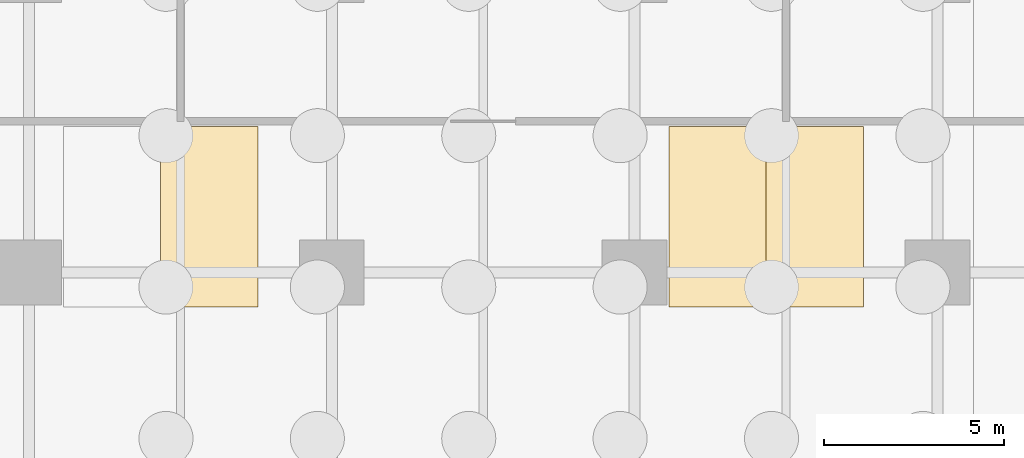
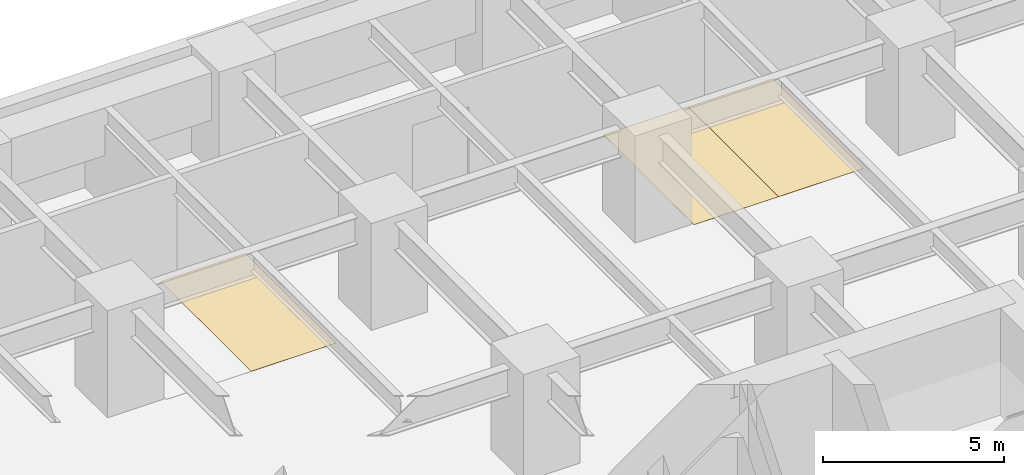
# One storey, part 10 of 11: 3 coverings.
"""IFC4 building model written with IfcOpenShell, lengths in metres."""

from ifc_helpers import new_model, si_unit, direction, frame, origin, place, context, subcontext, project, spatial, polyline, outline, extrude, material, layer, layer_set, type_object, element, save


model = new_model("IFC4")

# Units and contexts
model_context = context("Model", 3, precision=1e-05, world=origin(), true_north=direction((0.0, 1.0)))
body_context = subcontext(model_context, "Body", "Model", "MODEL_VIEW")
ifc_project = project(units=[si_unit("LENGTHUNIT", "METRE"), si_unit("AREAUNIT", "SQUARE_METRE"), si_unit("VOLUMEUNIT", "CUBIC_METRE"), si_unit("PLANEANGLEUNIT", "RADIAN"), si_unit("MASSUNIT", "GRAM", prefix="KILO")], contexts=[model_context])

# Site, building, storey
site_placement = place(None, origin())
site = spatial("IfcSite", under=ifc_project, at=site_placement, CompositionType="ELEMENT")
building_placement = place(site_placement, origin())
building = spatial("IfcBuilding", under=site, at=building_placement, Name="Torre Alcanfor", CompositionType="ELEMENT")
storey_placement = place(building_placement, frame((0.0, 0.0, -7.199951171875)))
storey = spatial("IfcBuildingStorey", under=building, at=storey_placement, Name="B2", CompositionType="ELEMENT", Elevation=-7.199951171875)

# Coverings
ifc_material = material(Name="Line-marking paint on sealed concrete", Category="concrete")
ifc_layer = layer(ifc_material, 0.0029296875)
ifc_layer_set = layer_set([ifc_layer], Name="Parking bay marking 2700x5000")
covering_type = type_object("IfcCoveringType", Name="Parking bay marking 2700x5000", PredefinedType="USERDEFINED", material=ifc_layer_set)
covering_1_placement = place(storey_placement, origin())
element("IfcCovering", 1, at=covering_1_placement, inside=storey, type_object=covering_type, Name="Parking bay 244", ObjectType="PARKING BAY", PredefinedType="USERDEFINED", context=body_context, shape_type="SweptSolid", body=[
    extrude(outline(polyline([(20.449951171875, 49.449951171875), (23.14990234375, 49.449951171875), (23.14990234375, 54.449951171875), (20.449951171875, 54.449951171875), (20.449951171875, 49.449951171875)])), origin(), (0.0, 0.0, 1.0), 0.0029296875),
])
covering_2_placement = place(storey_placement, origin())
element("IfcCovering", 2, at=covering_2_placement, inside=storey, type_object=covering_type, Name="Parking bay 245", ObjectType="PARKING BAY", PredefinedType="USERDEFINED", context=body_context, shape_type="SweptSolid", body=[
    extrude(outline(polyline([(34.550048828125, 49.449951171875), (37.25, 49.449951171875), (37.25, 54.449951171875), (34.550048828125, 54.449951171875), (34.550048828125, 49.449951171875)])), origin(), (0.0, 0.0, 1.0), 0.0029296875),
])
covering_3_placement = place(storey_placement, origin())
element("IfcCovering", 3, at=covering_3_placement, inside=storey, type_object=covering_type, Name="Parking bay 246", ObjectType="PARKING BAY", PredefinedType="USERDEFINED", context=body_context, shape_type="SweptSolid", body=[
    extrude(outline(polyline([(37.25, 49.449951171875), (39.949951171875, 49.449951171875), (39.949951171875, 54.449951171875), (37.25, 54.449951171875), (37.25, 49.449951171875)])), origin(), (0.0, 0.0, 1.0), 0.0029296875),
])

save(model, "model.ifc")
